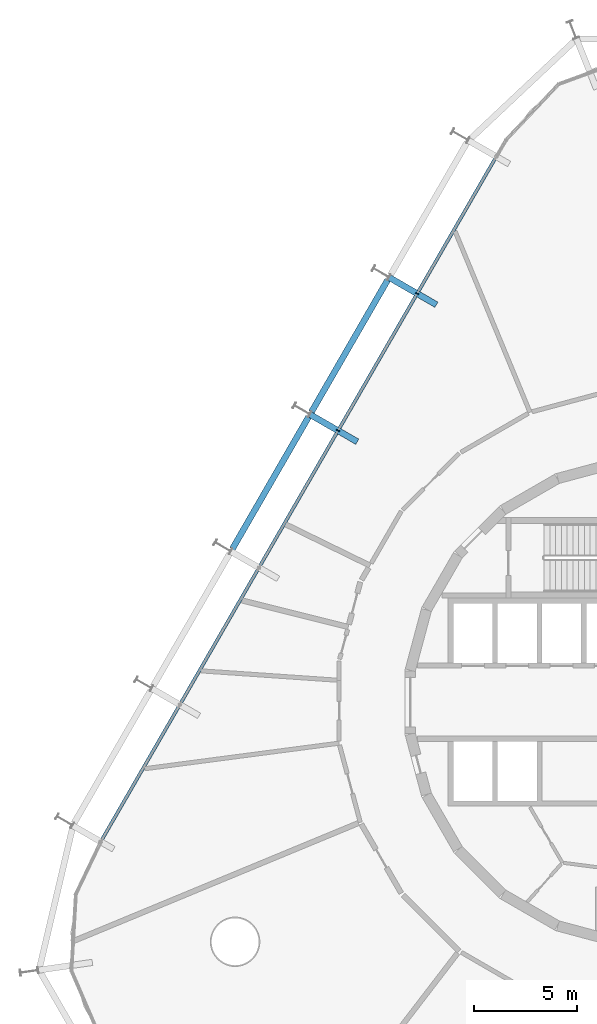
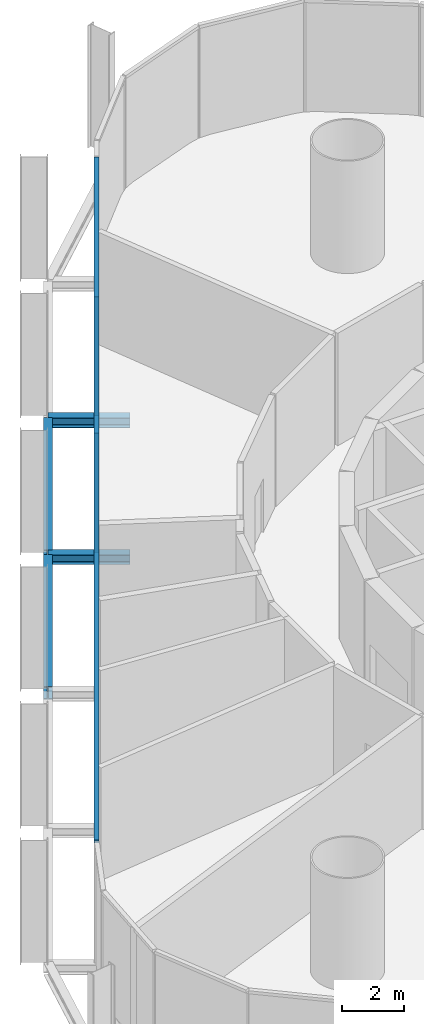
# One storey, part 8 of 17: 4 beams, 3 members, 1 element without a shape of its own.
"""IFC4 building model written with IfcOpenShell, lengths in metres."""

import ifcopenshell
import ifcopenshell.guid

model = None  # the IFC model being written
_history = None  # IfcOwnerHistory: only IFC2X3 demands one
_inside = {}  # id of a spatial element -> (the spatial element, [elements in it])
_under = {}  # id of a project, library or spatial element -> (it, [spatial elements below it])
_declared = {}  # id of a project -> (the project, [libraries it declares])
_typed = {}  # id of a type object -> (the type object, [elements of that type])
_made_of = {}  # id of a material, layer set ... -> (it, [elements and type objects made of it])


def new_model(schema):
    """Start an empty IFC model of exactly this schema.

    Asked for "IFC4X3", IfcOpenShell would pick the latest addendum, in which some entities
    have other attributes; the version numbers below select the first issue.
    IFC2X3 requires an IfcOwnerHistory on every rooted entity: one is made here for all.
    """
    global model, _history
    if schema == "IFC4X3":
        model = ifcopenshell.file(schema_version=(4, 3, 0, 0))
    else:
        model = ifcopenshell.file(schema=schema)
    _inside.clear()
    _under.clear()
    _declared.clear()
    _typed.clear()
    _made_of.clear()
    _history = None
    if model.schema == "IFC2X3":
        org = make("IfcOrganization", Name="unknown")
        user = make(
            "IfcPersonAndOrganization",
            ThePerson=make("IfcPerson", FamilyName="unknown"),
            TheOrganization=org,
        )
        app = make(
            "IfcApplication",
            ApplicationDeveloper=org,
            Version="unknown",
            ApplicationFullName="unknown",
            ApplicationIdentifier="unknown",
        )
        _history = make(
            "IfcOwnerHistory",
            OwningUser=user,
            OwningApplication=app,
            ChangeAction="ADDED",
            CreationDate=0,
        )
    return model


def make(cls, **values):
    """One entity of the class cls with the attributes given. An attribute that is None is left unset."""
    return model.create_entity(
        cls, **{name: value for name, value in values.items() if value is not None}
    )


def rooted(cls, **values):
    """An entity with a GlobalId (a new one), such as an element, a storey or a relation."""
    return make(cls, GlobalId=ifcopenshell.guid.new(), OwnerHistory=_history, **values)


def si_unit(unit_type, name, prefix=None):
    """IfcSIUnit, for example si_unit("LENGTHUNIT", "METRE", prefix="MILLI")."""
    return make("IfcSIUnit", UnitType=unit_type, Prefix=prefix, Name=name)


def assignment(units):
    """IfcUnitAssignment: the units of a project."""
    return None if units is None else make("IfcUnitAssignment", Units=units)


def point(xyz):
    """IfcCartesianPoint."""
    return None if xyz is None else make("IfcCartesianPoint", Coordinates=xyz)


def direction(xyz):
    """IfcDirection."""
    return None if xyz is None else make("IfcDirection", DirectionRatios=xyz)


def frame(location, z_axis=None, x_axis=None):
    """IfcAxis2Placement3D, a coordinate frame: its origin and axes. An axis left out is left unset."""
    return make(
        "IfcAxis2Placement3D",
        Location=point(location),
        Axis=direction(z_axis),
        RefDirection=direction(x_axis),
    )


def frame_2d(location, x_axis=None):
    """IfcAxis2Placement2D, a coordinate frame in the plane: its origin and x axis."""
    return make(
        "IfcAxis2Placement2D", Location=point(location), RefDirection=direction(x_axis)
    )


def origin():
    """The frame at (0, 0, 0) with its axes left unset."""
    return frame((0.0, 0.0, 0.0))


def origin_2d():
    """The frame at (0, 0) in the plane with its x axis left unset."""
    return frame_2d((0.0, 0.0))


def place(relative_to, where):
    """IfcLocalPlacement: puts the frame where relative to a parent placement (None: the world)."""
    return make(
        "IfcLocalPlacement", PlacementRelTo=relative_to, RelativePlacement=where
    )


def context(
    kind, dimensions, precision=None, world=None, true_north=None, identifier=None
):
    """IfcGeometricRepresentationContext, for example the 3D "Model" context."""
    return make(
        "IfcGeometricRepresentationContext",
        ContextIdentifier=identifier,
        ContextType=kind,
        CoordinateSpaceDimension=dimensions,
        Precision=precision,
        WorldCoordinateSystem=world,
        TrueNorth=true_north,
    )


def subcontext(parent, identifier, kind, view, scale=None):
    """IfcGeometricRepresentationSubContext, for example "Body" below "Model"."""
    return make(
        "IfcGeometricRepresentationSubContext",
        ContextIdentifier=identifier,
        ContextType=kind,
        ParentContext=parent,
        TargetScale=scale,
        TargetView=view,
    )


def project(units=None, contexts=None):
    """IfcProject with its units and contexts."""
    return rooted(
        "IfcProject",
        Name="project",
        RepresentationContexts=contexts,
        UnitsInContext=assignment(units),
    )


def spatial(cls, under=None, at=None, **own):
    """A site, building, storey or space (cls), placed at a placement, below another one or the project."""
    s = rooted(cls, ObjectPlacement=at, **own)
    if under is not None:
        _under.setdefault(under.id(), (under, []))[1].append(s)
    return s


def profile(cls, at=None, kind="AREA", **sizes):
    """A parametric profile (cls). Its sizes go by their IFC names, for example OverallWidth=200.0."""
    return make(cls, ProfileType=kind, Position=at, **sizes)


def rectangle(**sizes):
    """IfcRectangleProfileDef."""
    return profile("IfcRectangleProfileDef", **sizes)


def i_section(**sizes):
    """IfcIShapeProfileDef."""
    return profile("IfcIShapeProfileDef", **sizes)


def extrude(swept, where, along, depth):
    """IfcExtrudedAreaSolid: the profile swept, set in the frame where, extruded along a direction by depth."""
    return make(
        "IfcExtrudedAreaSolid",
        SweptArea=swept,
        Position=where,
        ExtrudedDirection=direction(along),
        Depth=depth,
    )


def shape(context_of_items, identifier, shape_type, items):
    """IfcShapeRepresentation: the items that make up one representation, for example the "Body"."""
    return make(
        "IfcShapeRepresentation",
        ContextOfItems=context_of_items,
        RepresentationIdentifier=identifier,
        RepresentationType=shape_type,
        Items=items,
    )


def material(Name=None, Category=None):
    """IfcMaterial."""
    return make("IfcMaterial", Name=Name, Category=Category)


def layer(
    of_material, thickness, ventilated=None, Name=None, Category=None, Priority=None
):
    """IfcMaterialLayer: one layer of a wall or slab, of a material (None: an air gap)."""
    return make(
        "IfcMaterialLayer",
        Material=of_material,
        LayerThickness=thickness,
        IsVentilated=ventilated,
        Name=Name,
        Category=Category,
        Priority=Priority,
    )


def layer_set(layers, Name=None):
    """IfcMaterialLayerSet."""
    return make("IfcMaterialLayerSet", MaterialLayers=layers, LayerSetName=Name)


def material_profile(
    of_material, cross_section, Name=None, Category=None, Priority=None
):
    """IfcMaterialProfile: a cross section and its material."""
    return make(
        "IfcMaterialProfile",
        Name=Name,
        Material=of_material,
        Profile=cross_section,
        Priority=Priority,
        Category=Category,
    )


def profile_set(profiles, Name=None, composite=None):
    """IfcMaterialProfileSet."""
    return make(
        "IfcMaterialProfileSet",
        Name=Name,
        MaterialProfiles=profiles,
        CompositeProfile=composite,
    )


def made_of(thing, what):
    """Note that an element or type object is made of a material, layer set ...; save() writes the relation."""
    if what is not None:
        _made_of.setdefault(what.id(), (what, []))[1].append(thing)
    return thing


def type_object(cls, material=None, **own):
    """A type object (cls), such as IfcWallType, which elements share."""
    return made_of(rooted(cls, **own), material)


def element(
    cls,
    number,
    at=None,
    inside=None,
    cuts=None,
    type_object=None,
    material=None,
    context=None,
    identifier="Body",
    shape_type=None,
    held_by="IfcProductDefinitionShape",
    body=None,
    shapes=None,
    **own,
):
    """One element of the class cls, such as IfcWall. Its Tag is "e" and its number.

    at: its placement. inside: the storey or other place that contains it. cuts: it is an
    opening in that element (IfcRelVoidsElement). A single representation is given by context,
    identifier, shape_type and body (its items); several are given by shapes. held_by: the class
    of the entity that holds the representations. save() writes the other relations.
    """
    e = rooted(cls, Tag="e%d" % number, ObjectPlacement=at, **own)
    if body is not None:
        shapes = [shape(context, identifier, shape_type, body)]
    if shapes is not None:
        e.Representation = make(held_by, Representations=shapes)
    if inside is not None:
        _inside.setdefault(inside.id(), (inside, []))[1].append(e)
    if cuts is not None:
        rooted(
            "IfcRelVoidsElement", RelatingBuildingElement=cuts, RelatedOpeningElement=e
        )
    if type_object is not None:
        _typed.setdefault(type_object.id(), (type_object, []))[1].append(e)
    return made_of(e, material)


def aggregate(whole, parts):
    """IfcRelAggregates: a whole, such as a stair, and the parts it consists of."""
    return rooted("IfcRelAggregates", RelatingObject=whole, RelatedObjects=parts)


def save(model, path):
    """Write the relations noted so far, then the file.

    IfcRelAggregates (storeys below a building ...), IfcRelContainedInSpatialStructure (elements
    in a storey), IfcRelDefinesByType, IfcRelAssociatesMaterial and IfcRelDeclares: one each for
    every whole, place, type object, material and project.
    """
    for whole, parts in _under.values():
        aggregate(whole, parts)
    for where, things in _inside.values():
        rooted(
            "IfcRelContainedInSpatialStructure",
            RelatedElements=things,
            RelatingStructure=where,
        )
    for kind, things in _typed.values():
        rooted("IfcRelDefinesByType", RelatedObjects=things, RelatingType=kind)
    for what, things in _made_of.values():
        rooted("IfcRelAssociatesMaterial", RelatedObjects=things, RelatingMaterial=what)
    for by, libraries in _declared.values():
        rooted("IfcRelDeclares", RelatingContext=by, RelatedDefinitions=libraries)
    model.write(path)


model = new_model("IFC4")

# Units and contexts
model_context = context("Model", 3, precision=1e-05, world=origin(), true_north=direction((0.0, 1.0)))
body_context = subcontext(model_context, "Body", "Model", "MODEL_VIEW")
ifc_project = project(units=[si_unit("LENGTHUNIT", "METRE"), si_unit("AREAUNIT", "SQUARE_METRE"), si_unit("VOLUMEUNIT", "CUBIC_METRE"), si_unit("PLANEANGLEUNIT", "RADIAN"), si_unit("MASSUNIT", "GRAM", prefix="KILO")], contexts=[model_context])

# Site, building, storey
site_placement = place(None, origin())
site = spatial("IfcSite", under=ifc_project, at=site_placement, CompositionType="ELEMENT")
building_placement = place(site_placement, origin())
building = spatial("IfcBuilding", under=site, at=building_placement, Name="Spindle Arch Residences", CompositionType="ELEMENT")
storey_placement = place(building_placement, frame((0.0, 0.0, 23.39990234375)))
storey = spatial("IfcBuildingStorey", under=building, at=storey_placement, Name="L04", CompositionType="ELEMENT", Elevation=23.39990234375)

# Curtain wall, members
ifc_material_1 = material(Name="Aluminium bronze unitised frame with tinted glass", Category="aluminium")
ifc_layer = layer(ifc_material_1, 0.159912109375)
ifc_layer_set = layer_set([ifc_layer], Name="CW-B amenity podium glazed wall")
curtain_wall_type = type_object("IfcCurtainWallType", Name="CW-B amenity podium glazed wall", PredefinedType="NOTDEFINED", material=ifc_layer_set)
curtain_wall_placement = place(storey_placement, origin())
curtain_wall = element("IfcCurtainWall", 1, at=curtain_wall_placement, inside=storey, type_object=curtain_wall_type, Name="CW-B L04 run 4", PredefinedType="NOTDEFINED")
ifc_material_2 = material(Name="Aluminium bronze anodised mullion", Category="aluminium")
ifc_material_profile_1 = material_profile(ifc_material_2, rectangle(XDim=0.159912109375, YDim=0.06005859375, at=origin_2d()), Name="MU 60x160")
ifc_profile_set_1 = profile_set([ifc_material_profile_1], Name="Aluminium bronze anodised mullion")
member_type_1 = type_object("IfcMemberType", Name="Bronze mullion 60x160", PredefinedType="MULLION", material=ifc_profile_set_1)
member_1_placement = place(storey_placement, frame((-11.309326171875, 19.83154296875, -0.3798828125), z_axis=(0.0, 0.0, 1.0), x_axis=(0.866025403784, -0.5, 0.0)))
member_1 = element("IfcMember", 2, at=member_1_placement, type_object=member_type_1, Name="CW-B mullion 14", PredefinedType="MULLION", context=body_context, shape_type="SweptSolid", body=[
    extrude(rectangle(XDim=0.159912109375, YDim=0.06005859375, at=origin_2d()), origin(), (0.0, 0.0, 1.0), 4.679931640625),
])
member_2_placement = place(storey_placement, frame((-15.149169921875, 13.180419921875, -0.3798828125), z_axis=(0.0, 0.0, 1.0), x_axis=(0.866025403784, -0.5, 0.0)))
member_2 = element("IfcMember", 3, at=member_2_placement, type_object=member_type_1, Name="CW-B mullion 15", PredefinedType="MULLION", context=body_context, shape_type="SweptSolid", body=[
    extrude(rectangle(XDim=0.159912109375, YDim=0.06005859375, at=origin_2d()), origin(), (0.0, 0.0, 1.0), 4.679931640625),
])
ifc_material_3 = material(Name="Aluminium bronze anodised transom", Category="aluminium")
ifc_material_profile_2 = material_profile(ifc_material_3, rectangle(XDim=0.159912109375, YDim=0.1201171875, at=origin_2d()), Name="TR 120x160")
ifc_profile_set_2 = profile_set([ifc_material_profile_2], Name="Aluminium bronze anodised transom")
member_type_2 = type_object("IfcMemberType", Name="Bronze transom 120x160", PredefinedType="USERDEFINED", material=ifc_profile_set_2)
member_3_placement = place(storey_placement, frame((-7.484130859375, 26.456787109375, 4.360107421875), z_axis=(-0.50000099666, -0.866024828362, 0.0), x_axis=(0.866024828362, -0.50000099666, 0.0)))
member_3 = element("IfcMember", 4, at=member_3_placement, type_object=member_type_2, Name="CW-B transom 00", ObjectType="TRANSOM", PredefinedType="USERDEFINED", context=body_context, shape_type="SweptSolid", body=[
    extrude(rectangle(XDim=0.159912109375, YDim=0.1201171875, at=origin_2d()), origin(), (0.0, 0.0, 1.0), 38.34033203125),
])
aggregate(curtain_wall, [member_3, member_1, member_2])

# Beams
ifc_material_4 = material(Name="Steel S460ML, intumescent coating R 120", Category="steel")
ifc_material_profile_3 = material_profile(ifc_material_4, i_section(OverallWidth=0.300048828125, OverallDepth=0.5, WebThickness=0.014404296875, FlangeThickness=0.028076171875, FilletRadius=0.027099609375, at=origin_2d()), Name="HEB 500")
ifc_profile_set_3 = profile_set([ifc_material_profile_3], Name="Steel S460ML, intumescent coating R 120")
beam_type_1 = type_object("IfcBeamType", Name="Exoskeleton edge beam HEB 500", PredefinedType="BEAM", material=ifc_profile_set_3)
beam_1_placement = place(storey_placement, frame((-12.73388671875, 20.504150390625, -0.6298828125), z_axis=(-0.49998923004, -0.866031621735, 0.0), x_axis=(0.866031621735, -0.49998923004, 0.0)))
element("IfcBeam", 5, at=beam_1_placement, inside=storey, type_object=beam_type_1, Name="Exoskeleton edge beam 15", PredefinedType="BEAM", context=body_context, shape_type="SweptSolid", body=[
    extrude(i_section(OverallWidth=0.300048828125, OverallDepth=0.5, WebThickness=0.014404296875, FlangeThickness=0.028076171875, FilletRadius=0.027099609375, at=origin_2d()), origin(), (0.0, 0.0, 1.0), 7.420166015625),
])
beam_2_placement = place(storey_placement, frame((-16.573974609375, 13.852783203125, -0.6298828125), z_axis=(-0.500003477455, -0.866023396066, 0.0), x_axis=(0.866023396066, -0.500003477455, 0.0)))
element("IfcBeam", 6, at=beam_2_placement, inside=storey, type_object=beam_type_1, Name="Exoskeleton edge beam 16", PredefinedType="BEAM", context=body_context, shape_type="SweptSolid", body=[
    extrude(i_section(OverallWidth=0.300048828125, OverallDepth=0.5, WebThickness=0.014404296875, FlangeThickness=0.028076171875, FilletRadius=0.027099609375, at=origin_2d()), origin(), (0.0, 0.0, 1.0), 7.419921875),
])
ifc_material_5 = material(Name="Steel S460ML, intumescent coating R 120", Category="steel")
ifc_material_profile_4 = material_profile(ifc_material_5, i_section(OverallWidth=0.300048828125, OverallDepth=0.389892578125, WebThickness=0.010986328125, FlangeThickness=0.01904296875, FilletRadius=0.027099609375, at=origin_2d()), Name="HEA 400")
ifc_profile_set_4 = profile_set([ifc_material_profile_4], Name="Steel S460ML, intumescent coating R 120")
beam_type_2 = type_object("IfcBeamType", Name="Floor outrigger HEA 400", PredefinedType="BEAM", material=ifc_profile_set_4)
for number, where, z_axis, x_axis, name in (
    (7, (-12.6689453125, 20.61669921875, -0.574951171875), (0.866052124492, -0.499953715521, 0.0), (0.499953715521, 0.866052124492, 0.0), "Floor outrigger 15"),
    (8, (-16.5087890625, 13.965576171875, -0.574951171875), (0.865989200783, -0.500062700197, 0.0), (0.500062700197, 0.865989200783, 0.0), "Floor outrigger 16"),
):
    element("IfcBeam", number, at=place(storey_placement, frame(where, z_axis=z_axis, x_axis=x_axis)), inside=storey, type_object=beam_type_2, Name=name, PredefinedType="BEAM", context=body_context, shape_type="SweptSolid", body=[
        extrude(i_section(OverallWidth=0.300048828125, OverallDepth=0.389892578125, WebThickness=0.010986328125, FlangeThickness=0.01904296875, FilletRadius=0.027099609375, at=origin_2d()), origin(), (0.0, 0.0, 1.0), 2.650146484375),
    ])

save(model, "model.ifc")
